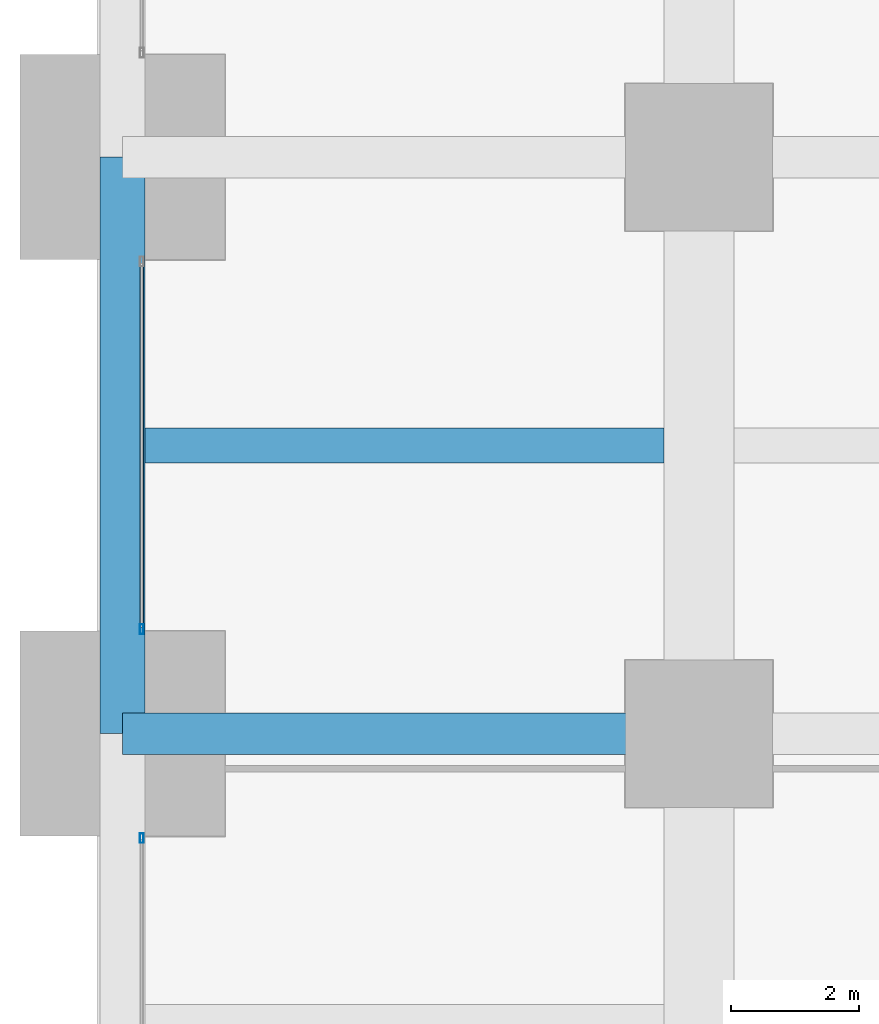
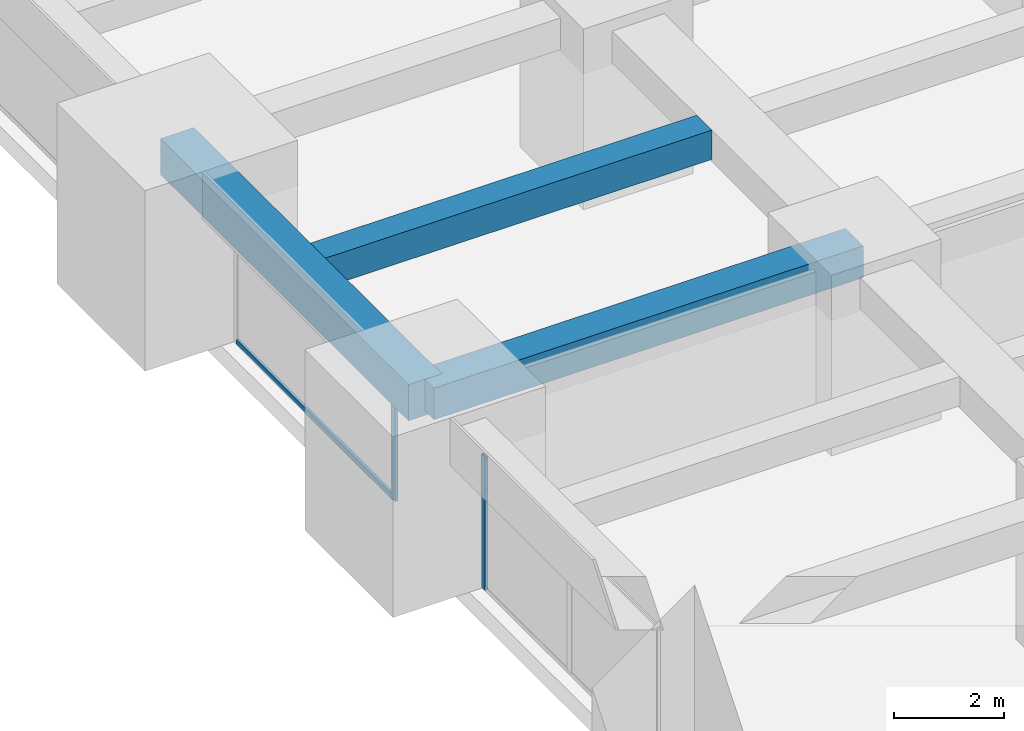
# One storey, part 9 of 50: 3 beams, 3 members, 2 elements without a shape of their own.
"""IFC4 building model written with IfcOpenShell, lengths in metres."""

from ifc_helpers import new_model, si_unit, direction, frame, origin, origin_2d, place, context, subcontext, project, spatial, rectangle, hollow_rectangle, extrude, material, material_profile, profile_set, type_object, element, aggregate, save


model = new_model("IFC4")

# Units and contexts
model_context = context("Model", 3, precision=1e-05, world=origin(), true_north=direction((0.0, 1.0)))
body_context = subcontext(model_context, "Body", "Model", "MODEL_VIEW")
ifc_project = project(units=[si_unit("LENGTHUNIT", "METRE"), si_unit("AREAUNIT", "SQUARE_METRE"), si_unit("VOLUMEUNIT", "CUBIC_METRE"), si_unit("PLANEANGLEUNIT", "RADIAN"), si_unit("MASSUNIT", "GRAM", prefix="KILO")], contexts=[model_context])

# Site, building, storey
site_placement = place(None, origin())
site = spatial("IfcSite", under=ifc_project, at=site_placement, CompositionType="ELEMENT")
building_placement = place(site_placement, origin())
building = spatial("IfcBuilding", under=site, at=building_placement, Name="Zorevar Civic Tower", CompositionType="ELEMENT")
storey_placement = place(building_placement, frame((0.0, 0.0, 85.0)))
storey = spatial("IfcBuildingStorey", under=building, at=storey_placement, Name="L20", CompositionType="ELEMENT", Elevation=85.0)

# Beams
ifc_material_1 = material(Name="Concrete C50/60", Category="concrete")
ifc_material_profile_1 = material_profile(ifc_material_1, rectangle(XDim=0.550048828125, YDim=0.64990234375, at=origin_2d()), Name="RC 550x650")
ifc_profile_set_1 = profile_set([ifc_material_profile_1], Name="Concrete C50/60")
beam_type_1 = type_object("IfcBeamType", Name="Beam RC 550x650", PredefinedType="BEAM", material=ifc_profile_set_1)
beam_1_placement = place(storey_placement, frame((0.35009765625, 22.5, 3.425048828125), z_axis=(1.0, 0.0, 0.0), x_axis=(0.0, 1.0, 0.0)))
element("IfcBeam", 1, at=beam_1_placement, inside=storey, type_object=beam_type_1, Name="Secondary beam L21", PredefinedType="BEAM", context=body_context, shape_type="SweptSolid", body=[
    extrude(rectangle(XDim=0.550048828125, YDim=0.64990234375, at=origin_2d()), origin(), (0.0, 0.0, 1.0), 8.099853515625),
])
ifc_material_2 = material(Name="Concrete C50/60", Category="concrete")
ifc_material_profile_2 = material_profile(ifc_material_2, rectangle(XDim=0.64990234375, YDim=0.699951171875, at=origin_2d()), Name="RC 650x700")
ifc_profile_set_2 = profile_set([ifc_material_profile_2], Name="Concrete C50/60")
beam_type_2 = type_object("IfcBeamType", Name="Beam RC 650x700", PredefinedType="BEAM", material=ifc_profile_set_2)
beam_2_placement = place(storey_placement, frame((0.0, 18.0, 3.39990234375), z_axis=(1.0, 0.0, 0.0), x_axis=(0.0, 1.0, 0.0)))
element("IfcBeam", 2, at=beam_2_placement, inside=storey, type_object=beam_type_2, Name="Girder L21", PredefinedType="BEAM", context=body_context, shape_type="SweptSolid", body=[
    extrude(rectangle(XDim=0.64990234375, YDim=0.699951171875, at=origin_2d()), origin(), (0.0, 0.0, 1.0), 9.0),
])

# Curtain wall, member
ifc_material_3 = material(Name="Dark grey solar-control glass in black aluminium frame", Category="aluminium")
curtain_wall_type = type_object("IfcCurtainWallType", Name="Curtain wall CW3 mid zone", PredefinedType="NOTDEFINED", material=ifc_material_3)
curtain_wall_1_placement = place(storey_placement, origin())
curtain_wall_1 = element("IfcCurtainWall", 3, at=curtain_wall_1_placement, inside=storey, type_object=curtain_wall_type, Name="CW3 L20", PredefinedType="NOTDEFINED")
ifc_material_4 = material(Name="Aluminium, black anodised", Category="aluminium")
ifc_material_profile_3 = material_profile(ifc_material_4, hollow_rectangle(XDim=0.06005859375, YDim=0.14990234375, WallThickness=0.00390625, at=origin_2d()), Name="AL 150x60x4")
ifc_profile_set_3 = profile_set([ifc_material_profile_3], Name="Aluminium, black anodised")
member_type_1 = type_object("IfcMemberType", Name="CW3 mullion AL 150x60x4", PredefinedType="MULLION", material=ifc_profile_set_3)
member_1_placement = place(storey_placement, frame((0.300048828125, 16.3701171875, 0.0), z_axis=(0.0, 0.0, 1.0), x_axis=(-1.0, 0.0, 0.0)))
member_1 = element("IfcMember", 4, at=member_1_placement, type_object=member_type_1, Name="CW3 mullion 3", PredefinedType="MULLION", context=body_context, shape_type="SweptSolid", body=[
    extrude(hollow_rectangle(XDim=0.06005859375, YDim=0.14990234375, WallThickness=0.00390625, at=origin_2d()), origin(), (0.0, 0.0, 1.0), 2.949951171875),
])
aggregate(curtain_wall_1, [member_1])

# Curtain wall, members
curtain_wall_2_placement = place(storey_placement, origin())
curtain_wall_2 = element("IfcCurtainWall", 5, at=curtain_wall_2_placement, inside=storey, type_object=curtain_wall_type, Name="CW3 L20", PredefinedType="NOTDEFINED")
member_2_placement = place(storey_placement, frame((0.300048828125, 19.6298828125, 0.0), z_axis=(0.0, 0.0, 1.0), x_axis=(-1.0, 0.0, 0.0)))
member_2 = element("IfcMember", 6, at=member_2_placement, type_object=member_type_1, Name="CW3 mullion 1", PredefinedType="MULLION", context=body_context, shape_type="SweptSolid", body=[
    extrude(hollow_rectangle(XDim=0.06005859375, YDim=0.14990234375, WallThickness=0.00390625, at=origin_2d()), origin(), (0.0, 0.0, 1.0), 2.949951171875),
])
ifc_material_5 = material(Name="Aluminium, black anodised", Category="aluminium")
ifc_material_profile_4 = material_profile(ifc_material_5, hollow_rectangle(XDim=0.06005859375, YDim=0.1201171875, WallThickness=0.0029296875, at=origin_2d()), Name="AL 120x60x3")
ifc_profile_set_4 = profile_set([ifc_material_profile_4], Name="Aluminium, black anodised")
member_type_2 = type_object("IfcMemberType", Name="CW3 transom AL 120x60x3", PredefinedType="USERDEFINED", material=ifc_profile_set_4)
member_3_placement = place(storey_placement, frame((0.300048828125, 19.659912109375, 0.030029296875), z_axis=(0.0, 1.0, 0.0), x_axis=(-1.0, 0.0, 0.0)))
member_3 = element("IfcMember", 7, at=member_3_placement, type_object=member_type_2, Name="CW3 sill transom", ObjectType="TRANSOM", PredefinedType="USERDEFINED", context=body_context, shape_type="SweptSolid", body=[
    extrude(hollow_rectangle(XDim=0.06005859375, YDim=0.1201171875, WallThickness=0.0029296875, at=origin_2d()), origin(), (0.0, 0.0, 1.0), 5.68017578125),
])
aggregate(curtain_wall_2, [member_2, member_3])

# Beam
ifc_material_6 = material(Name="Concrete C50/60", Category="concrete")
ifc_material_profile_5 = material_profile(ifc_material_6, rectangle(XDim=0.699951171875, YDim=0.800048828125, at=origin_2d()), Name="RC 700x800")
ifc_profile_set_5 = profile_set([ifc_material_profile_5], Name="Concrete C50/60")
beam_type_3 = type_object("IfcBeamType", Name="Edge beam RC 700x800", PredefinedType="SPANDREL", material=ifc_profile_set_5)
beam_3_placement = place(storey_placement, frame((0.0, 18.0, 3.35009765625), z_axis=(0.0, 1.0, 0.0), x_axis=(-1.0, 0.0, 0.0)))
element("IfcBeam", 8, at=beam_3_placement, inside=storey, type_object=beam_type_3, Name="Edge beam L21", PredefinedType="SPANDREL", context=body_context, shape_type="SweptSolid", body=[
    extrude(rectangle(XDim=0.699951171875, YDim=0.800048828125, at=origin_2d()), origin(), (0.0, 0.0, 1.0), 9.0),
])

save(model, "model.ifc")
